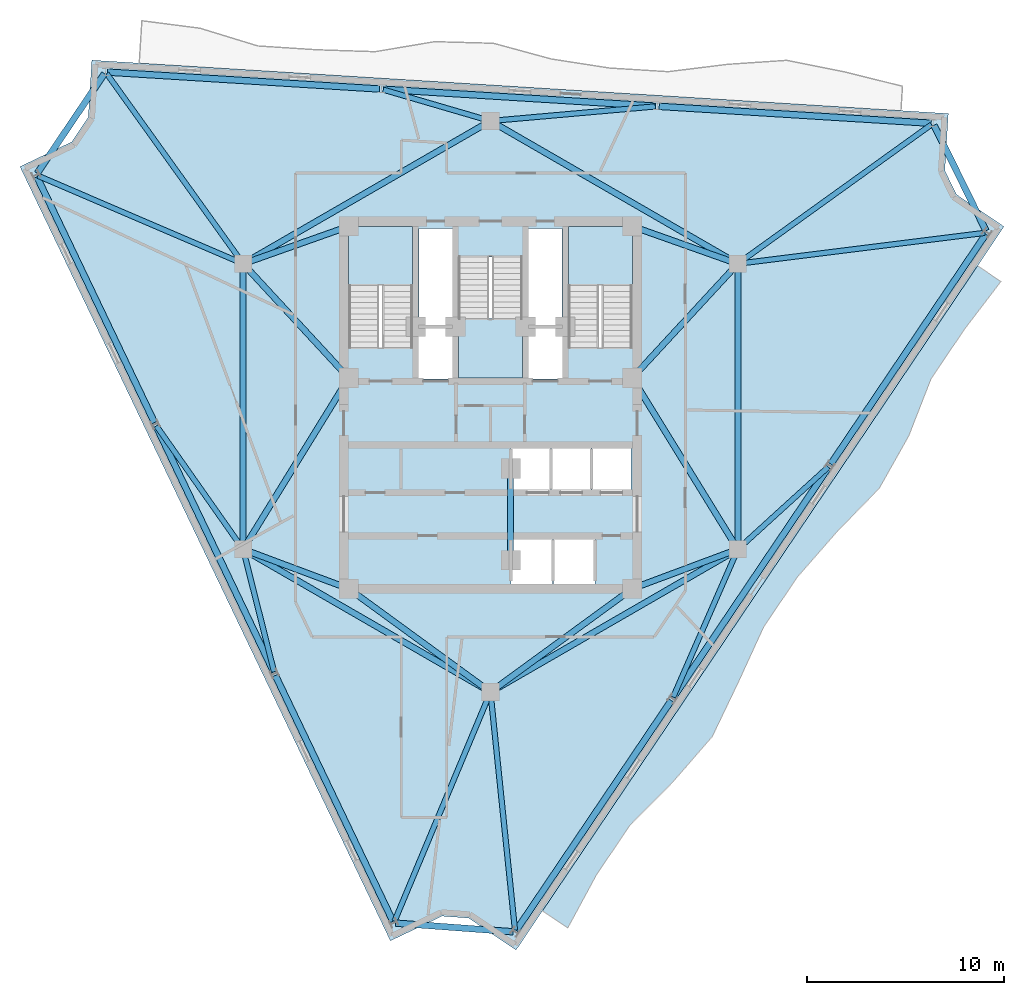
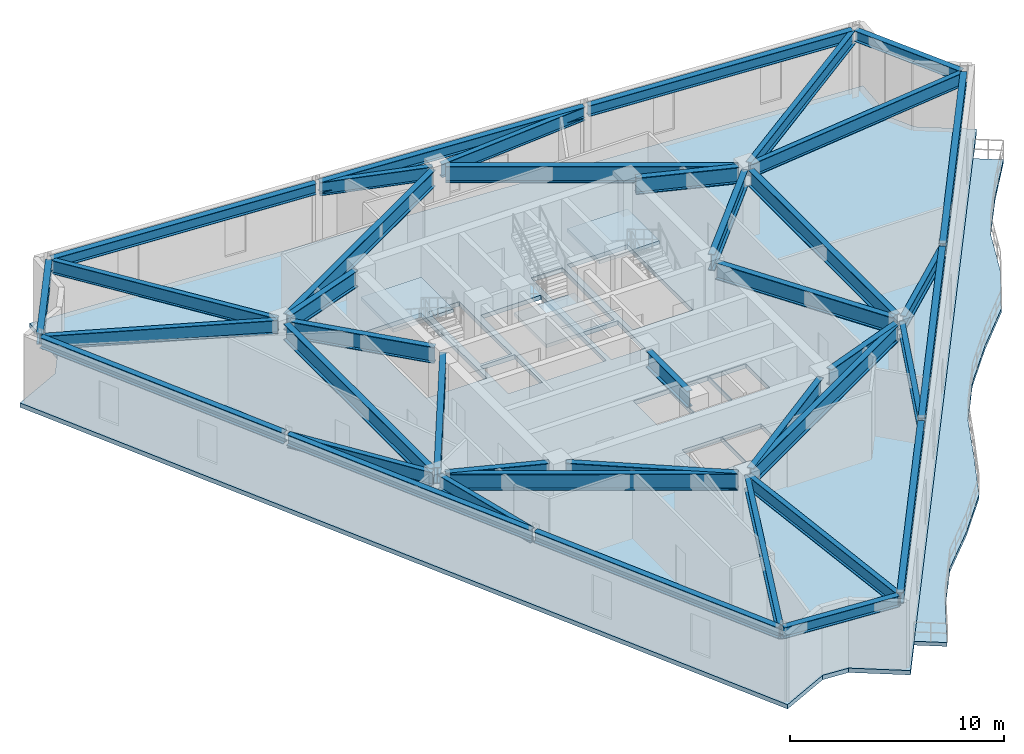
# One storey, part 4 of 10: 41 beams, 5 slabs, 3 elements without a shape of their own.
"""IFC4 building model written with IfcOpenShell, lengths in metres."""

from ifc_helpers import new_model, si_unit, direction, frame, origin, origin_2d, place, context, subcontext, project, spatial, polyline, i_section, outline, extrude, material, layer, layer_set, material_profile, profile_set, type_object, element, aggregate, save


model = new_model("IFC4")

# Units and contexts
model_context = context("Model", 3, precision=1e-05, world=origin(), true_north=direction((0.0, 1.0)))
body_context = subcontext(model_context, "Body", "Model", "MODEL_VIEW")
ifc_project = project(units=[si_unit("LENGTHUNIT", "METRE"), si_unit("AREAUNIT", "SQUARE_METRE"), si_unit("VOLUMEUNIT", "CUBIC_METRE"), si_unit("PLANEANGLEUNIT", "RADIAN"), si_unit("MASSUNIT", "GRAM", prefix="KILO")], contexts=[model_context])

# Site, building, storey
site_placement = place(None, origin())
site = spatial("IfcSite", under=ifc_project, at=site_placement, CompositionType="ELEMENT")
building_placement = place(site_placement, origin())
building = spatial("IfcBuilding", under=site, at=building_placement, Name="Apsidion Concourse Tower", CompositionType="ELEMENT")
storey_placement = place(building_placement, frame((0.0, 0.0, 310.60009765625)))
storey = spatial("IfcBuildingStorey", under=building, at=storey_placement, Name="L73", CompositionType="ELEMENT", Elevation=310.60009765625)

# Beams
ifc_material_1 = material(Name="Structural steel ASTM A992 Grade 50", Category="steel")
ifc_material_profile_1 = material_profile(ifc_material_1, i_section(OverallWidth=0.31005859375, OverallDepth=0.931884765625, WebThickness=0.02099609375, FlangeThickness=0.034423828125, at=origin_2d()), Name="W36X210")
ifc_profile_set_1 = profile_set([ifc_material_profile_1], Name="Structural steel ASTM A992 Grade 50")
beam_type_1 = type_object("IfcBeamType", Name="BM-G-W36", PredefinedType="USERDEFINED", material=ifc_profile_set_1)
beam_1_placement = place(storey_placement, frame((-12.185302734375, -7.389892578125, 3.3837890625), z_axis=(0.936913021145, -0.349562570664, 0.0), x_axis=(0.349562570664, 0.936913021145, 0.0)))
element("IfcBeam", 1, at=beam_1_placement, inside=storey, type_object=beam_type_1, Name="L73 Core Coupling Girder IC1-SC1", ObjectType="GIRDER", PredefinedType="USERDEFINED", context=body_context, shape_type="SweptSolid", body=[
    extrude(i_section(OverallWidth=0.31005859375, OverallDepth=0.931884765625, WebThickness=0.02099609375, FlangeThickness=0.034423828125, at=origin_2d()), origin(), (0.0, 0.0, 1.0), 4.921142578125),
])
beam_2_placement = place(storey_placement, frame((-12.35009765625, -6.909423828125, 3.3837890625), z_axis=(0.524524009763, 0.851395656074, 0.0), x_axis=(-0.851395656074, 0.524524009763, 0.0)))
element("IfcBeam", 2, at=beam_2_placement, inside=storey, type_object=beam_type_1, Name="L73 Core Coupling Girder IC1-SC6", ObjectType="GIRDER", PredefinedType="USERDEFINED", context=body_context, shape_type="SweptSolid", body=[
    extrude(i_section(OverallWidth=0.31005859375, OverallDepth=0.931884765625, WebThickness=0.02099609375, FlangeThickness=0.034423828125, at=origin_2d()), origin(), (0.0, 0.0, 1.0), 9.41845703125),
])
beam_3_placement = place(storey_placement, frame((12.185302734375, -7.389892578125, 3.3837890625), z_axis=(-0.936913021145, -0.349562570664, 0.0), x_axis=(0.349562570664, -0.936913021145, 0.0)))
element("IfcBeam", 3, at=beam_3_placement, inside=storey, type_object=beam_type_1, Name="L73 Core Coupling Girder IC2-SC2", ObjectType="GIRDER", PredefinedType="USERDEFINED", context=body_context, shape_type="SweptSolid", body=[
    extrude(i_section(OverallWidth=0.31005859375, OverallDepth=0.931884765625, WebThickness=0.02099609375, FlangeThickness=0.034423828125, at=origin_2d()), origin(), (0.0, 0.0, 1.0), 4.921142578125),
])
beam_4_placement = place(storey_placement, frame((12.35009765625, -6.909423828125, 3.3837890625), z_axis=(-0.524524009763, 0.851395656074, 0.0), x_axis=(-0.851395656074, -0.524524009763, 0.0)))
element("IfcBeam", 4, at=beam_4_placement, inside=storey, type_object=beam_type_1, Name="L73 Core Coupling Girder IC2-SC3", ObjectType="GIRDER", PredefinedType="USERDEFINED", context=body_context, shape_type="SweptSolid", body=[
    extrude(i_section(OverallWidth=0.31005859375, OverallDepth=0.931884765625, WebThickness=0.02099609375, FlangeThickness=0.034423828125, at=origin_2d()), origin(), (0.0, 0.0, 1.0), 9.41845703125),
])
beam_5_placement = place(storey_placement, frame((12.28857421875, 6.956298828125, 3.3837890625), z_axis=(-0.678712876106, -0.73440372535, 0.0), x_axis=(0.73440372535, -0.678712876106, 0.0)))
element("IfcBeam", 5, at=beam_5_placement, inside=storey, type_object=beam_type_1, Name="L73 Core Coupling Girder IC3-SC3", ObjectType="GIRDER", PredefinedType="USERDEFINED", context=body_context, shape_type="SweptSolid", body=[
    extrude(i_section(OverallWidth=0.31005859375, OverallDepth=0.931884765625, WebThickness=0.02099609375, FlangeThickness=0.034423828125, at=origin_2d()), origin(), (0.0, 0.0, 1.0), 7.097412109375),
])
beam_6_placement = place(storey_placement, frame((12.18310546875, 7.383544921875, 3.3837890625), z_axis=(-0.942533844539, 0.334110688094, 0.0), x_axis=(-0.334110688094, -0.942533844539, 0.0)))
element("IfcBeam", 6, at=beam_6_placement, inside=storey, type_object=beam_type_1, Name="L73 Core Coupling Girder IC3-SC4", ObjectType="GIRDER", PredefinedType="USERDEFINED", context=body_context, shape_type="SweptSolid", body=[
    extrude(i_section(OverallWidth=0.31005859375, OverallDepth=0.931884765625, WebThickness=0.02099609375, FlangeThickness=0.034423828125, at=origin_2d()), origin(), (0.0, 0.0, 1.0), 4.886962890625),
])
beam_7_placement = place(storey_placement, frame((-12.28857421875, 6.956298828125, 3.3837890625), z_axis=(0.678712876106, -0.73440372535, 0.0), x_axis=(0.73440372535, 0.678712876106, 0.0)))
element("IfcBeam", 7, at=beam_7_placement, inside=storey, type_object=beam_type_1, Name="L73 Core Coupling Girder IC5-SC6", ObjectType="GIRDER", PredefinedType="USERDEFINED", context=body_context, shape_type="SweptSolid", body=[
    extrude(i_section(OverallWidth=0.31005859375, OverallDepth=0.931884765625, WebThickness=0.02099609375, FlangeThickness=0.034423828125, at=origin_2d()), origin(), (0.0, 0.0, 1.0), 7.097412109375),
])
beam_8_placement = place(storey_placement, frame((-12.18310546875, 7.383544921875, 3.3837890625), z_axis=(0.942533844539, 0.334110688094, 0.0), x_axis=(-0.334110688094, 0.942533844539, 0.0)))
element("IfcBeam", 8, at=beam_8_placement, inside=storey, type_object=beam_type_1, Name="L73 Core Coupling Girder IC5-SC5", ObjectType="GIRDER", PredefinedType="USERDEFINED", context=body_context, shape_type="SweptSolid", body=[
    extrude(i_section(OverallWidth=0.31005859375, OverallDepth=0.931884765625, WebThickness=0.02099609375, FlangeThickness=0.034423828125, at=origin_2d()), origin(), (0.0, 0.0, 1.0), 4.886962890625),
])
for number, where, z_axis, x_axis, name in (
    (9, (-0.3232421875, -14.264404296875, 3.3837890625), (-0.807993498909, 0.589191399905, 0.0), (-0.589191399905, -0.807993498909, 0.0), "L73 Core Coupling Girder IC6-SC1"),
    (10, (0.3232421875, -14.264404296875, 3.3837890625), (0.807993498909, 0.589191399905, 0.0), (-0.589191399905, 0.807993498909, 0.0), "L73 Core Coupling Girder IC6-SC2"),
):
    element("IfcBeam", number, at=place(storey_placement, frame(where, z_axis=z_axis, x_axis=x_axis)), inside=storey, type_object=beam_type_1, Name=name, ObjectType="GIRDER", PredefinedType="USERDEFINED", context=body_context, shape_type="SweptSolid", body=[
        extrude(i_section(OverallWidth=0.31005859375, OverallDepth=0.931884765625, WebThickness=0.02099609375, FlangeThickness=0.034423828125, at=origin_2d()), origin(), (0.0, 0.0, 1.0), 8.11083984375),
    ])
beam_9_placement = place(storey_placement, frame((-12.56005859375, -6.85009765625, 3.3837890625), z_axis=(0.0, 1.0, 0.0), x_axis=(-1.0, 0.0, 0.0)))
element("IfcBeam", 11, at=beam_9_placement, inside=storey, type_object=beam_type_1, Name="L73 Core Coupling Girder IC1-IC5", ObjectType="GIRDER", PredefinedType="USERDEFINED", context=body_context, shape_type="SweptSolid", body=[
    extrude(i_section(OverallWidth=0.31005859375, OverallDepth=0.931884765625, WebThickness=0.02099609375, FlangeThickness=0.034423828125, at=origin_2d()), origin(), (0.0, 0.0, 1.0), 13.7001953125),
])
for number, where, z_axis, x_axis, name in (
    (12, (-12.213623046875, 7.449951171875, 3.3837890625), (0.866070471464, 0.499921932364, 0.0), (-0.499921932364, 0.866070471464, 0.0), "L73 Core Coupling Girder IC5-IC4"),
    (13, (0.346435546875, 14.300048828125, 3.3837890625), (0.866070471464, -0.499921932364, 0.0), (0.499921932364, 0.866070471464, 0.0), "L73 Core Coupling Girder IC4-IC3"),
):
    element("IfcBeam", number, at=place(storey_placement, frame(where, z_axis=z_axis, x_axis=x_axis)), inside=storey, type_object=beam_type_1, Name=name, ObjectType="GIRDER", PredefinedType="USERDEFINED", context=body_context, shape_type="SweptSolid", body=[
        extrude(i_section(OverallWidth=0.31005859375, OverallDepth=0.931884765625, WebThickness=0.02099609375, FlangeThickness=0.034423828125, at=origin_2d()), origin(), (0.0, 0.0, 1.0), 13.702392578125),
    ])
beam_10_placement = place(storey_placement, frame((12.56005859375, 6.85009765625, 3.3837890625), z_axis=(0.0, -1.0, 0.0), x_axis=(1.0, 0.0, 0.0)))
element("IfcBeam", 14, at=beam_10_placement, inside=storey, type_object=beam_type_1, Name="L73 Core Coupling Girder IC3-IC2", ObjectType="GIRDER", PredefinedType="USERDEFINED", context=body_context, shape_type="SweptSolid", body=[
    extrude(i_section(OverallWidth=0.31005859375, OverallDepth=0.931884765625, WebThickness=0.02099609375, FlangeThickness=0.034423828125, at=origin_2d()), origin(), (0.0, 0.0, 1.0), 13.7001953125),
])
for number, where, z_axis, x_axis, name in (
    (15, (12.213623046875, -7.449951171875, 3.3837890625), (-0.866070471464, -0.499921932364, 0.0), (0.499921932364, -0.866070471464, 0.0), "L73 Core Coupling Girder IC2-IC6"),
    (16, (-0.346435546875, -14.300048828125, 3.3837890625), (-0.866070471464, 0.499921932364, 0.0), (-0.499921932364, -0.866070471464, 0.0), "L73 Core Coupling Girder IC6-IC1"),
):
    element("IfcBeam", number, at=place(storey_placement, frame(where, z_axis=z_axis, x_axis=x_axis)), inside=storey, type_object=beam_type_1, Name=name, ObjectType="GIRDER", PredefinedType="USERDEFINED", context=body_context, shape_type="SweptSolid", body=[
        extrude(i_section(OverallWidth=0.31005859375, OverallDepth=0.931884765625, WebThickness=0.02099609375, FlangeThickness=0.034423828125, at=origin_2d()), origin(), (0.0, 0.0, 1.0), 13.702392578125),
    ])
beam_11_placement = place(storey_placement, frame((1.02490234375, -3.550048828125, 3.3837890625), z_axis=(0.0, -1.0, 0.0), x_axis=(1.0, 0.0, 0.0)))
element("IfcBeam", 17, at=beam_11_placement, inside=storey, type_object=beam_type_1, Name="L73 Core Coupling Girder CC5-CC6", ObjectType="GIRDER", PredefinedType="USERDEFINED", context=body_context, shape_type="SweptSolid", body=[
    extrude(i_section(OverallWidth=0.31005859375, OverallDepth=0.931884765625, WebThickness=0.02099609375, FlangeThickness=0.034423828125, at=origin_2d()), origin(), (0.0, 0.0, 1.0), 3.849853515625),
])
ifc_material_profile_2 = material_profile(ifc_material_1, i_section(OverallWidth=0.324951171875, OverallDepth=0.616943359375, WebThickness=0.013916015625, FlangeThickness=0.021484375, at=origin_2d()), Name="W24X117")
ifc_profile_set_2 = profile_set([ifc_material_profile_2], Name="Structural steel ASTM A992 Grade 50")
beam_type_2 = type_object("IfcBeamType", Name="BM-SP-W24", PredefinedType="SPANDREL", material=ifc_profile_set_2)
beam_12_placement = place(storey_placement, frame((-23.0302734375, 11.66845703125, 3.54150390625), z_axis=(0.431360581796, -0.902179609874, 0.0), x_axis=(0.902179609874, 0.431360581796, 0.0)))
element("IfcBeam", 18, at=beam_12_placement, inside=storey, type_object=beam_type_2, Name="L73 Perimeter Spandrel Girder SP-01", PredefinedType="SPANDREL", context=body_context, shape_type="SweptSolid", body=[
    extrude(i_section(OverallWidth=0.324951171875, OverallDepth=0.616943359375, WebThickness=0.013916015625, FlangeThickness=0.021484375, at=origin_2d()), origin(), (0.0, 0.0, 1.0), 13.834716796875),
])
beam_13_placement = place(storey_placement, frame((-16.976318359375, -0.993408203125, 3.54150390625), z_axis=(0.43136744944, -0.902176326204, 0.0), x_axis=(0.902176326204, 0.43136744944, 0.0)))
element("IfcBeam", 19, at=beam_13_placement, inside=storey, type_object=beam_type_2, Name="L73 Perimeter Spandrel Girder SP-02", PredefinedType="SPANDREL", context=body_context, shape_type="SweptSolid", body=[
    extrude(i_section(OverallWidth=0.324951171875, OverallDepth=0.616943359375, WebThickness=0.013916015625, FlangeThickness=0.021484375, at=origin_2d()), origin(), (0.0, 0.0, 1.0), 13.83447265625),
])
beam_14_placement = place(storey_placement, frame((-10.92236328125, -13.655029296875, 3.54150390625), z_axis=(0.431360581796, -0.902179609874, 0.0), x_axis=(0.902179609874, 0.431360581796, 0.0)))
element("IfcBeam", 20, at=beam_14_placement, inside=storey, type_object=beam_type_2, Name="L73 Perimeter Spandrel Girder SP-03", PredefinedType="SPANDREL", context=body_context, shape_type="SweptSolid", body=[
    extrude(i_section(OverallWidth=0.324951171875, OverallDepth=0.616943359375, WebThickness=0.013916015625, FlangeThickness=0.021484375, at=origin_2d()), origin(), (0.0, 0.0, 1.0), 13.834716796875),
])
beam_15_placement = place(storey_placement, frame((-4.81201171875, -26.234130859375, 3.54150390625), z_axis=(0.997286428853, -0.073619147134, 0.0), x_axis=(0.073619147134, 0.997286428853, 0.0)))
element("IfcBeam", 21, at=beam_15_placement, inside=storey, type_object=beam_type_2, Name="L73 Perimeter Spandrel Girder SP-04", PredefinedType="SPANDREL", context=body_context, shape_type="SweptSolid", body=[
    extrude(i_section(OverallWidth=0.324951171875, OverallDepth=0.616943359375, WebThickness=0.013916015625, FlangeThickness=0.021484375, at=origin_2d()), origin(), (0.0, 0.0, 1.0), 5.982421875),
])
beam_16_placement = place(storey_placement, frame((1.309814453125, -26.59912109375, 3.54150390625), z_axis=(0.559201815781, 0.829031561056, 0.0), x_axis=(-0.829031561056, 0.559201815781, 0.0)))
element("IfcBeam", 22, at=beam_16_placement, inside=storey, type_object=beam_type_2, Name="L73 Perimeter Spandrel Girder SP-05", PredefinedType="SPANDREL", context=body_context, shape_type="SweptSolid", body=[
    extrude(i_section(OverallWidth=0.324951171875, OverallDepth=0.616943359375, WebThickness=0.013916015625, FlangeThickness=0.021484375, at=origin_2d()), origin(), (0.0, 0.0, 1.0), 14.07958984375),
])
beam_17_placement = place(storey_placement, frame((9.294921875, -14.760986328125, 3.54150390625), z_axis=(0.559189897853, 0.829039599862, 0.0), x_axis=(-0.829039599862, 0.559189897853, 0.0)))
element("IfcBeam", 23, at=beam_17_placement, inside=storey, type_object=beam_type_2, Name="L73 Perimeter Spandrel Girder SP-06", PredefinedType="SPANDREL", context=body_context, shape_type="SweptSolid", body=[
    extrude(i_section(OverallWidth=0.324951171875, OverallDepth=0.616943359375, WebThickness=0.013916015625, FlangeThickness=0.021484375, at=origin_2d()), origin(), (0.0, 0.0, 1.0), 14.079345703125),
])
beam_18_placement = place(storey_placement, frame((17.27978515625, -2.9228515625, 3.54150390625), z_axis=(0.559201815781, 0.829031561056, 0.0), x_axis=(-0.829031561056, 0.559201815781, 0.0)))
element("IfcBeam", 24, at=beam_18_placement, inside=storey, type_object=beam_type_2, Name="L73 Perimeter Spandrel Girder SP-07", PredefinedType="SPANDREL", context=body_context, shape_type="SweptSolid", body=[
    extrude(i_section(OverallWidth=0.324951171875, OverallDepth=0.616943359375, WebThickness=0.013916015625, FlangeThickness=0.021484375, at=origin_2d()), origin(), (0.0, 0.0, 1.0), 14.07958984375),
])
beam_19_placement = place(storey_placement, frame((25.164794921875, 8.922119140625, 3.54150390625), z_axis=(-0.441884134894, 0.897072132734, 0.0), x_axis=(-0.897072132734, -0.441884134894, 0.0)))
element("IfcBeam", 25, at=beam_19_placement, inside=storey, type_object=beam_type_2, Name="L73 Perimeter Spandrel Girder SP-08", PredefinedType="SPANDREL", context=body_context, shape_type="SweptSolid", body=[
    extrude(i_section(OverallWidth=0.324951171875, OverallDepth=0.616943359375, WebThickness=0.013916015625, FlangeThickness=0.021484375, at=origin_2d()), origin(), (0.0, 0.0, 1.0), 5.982421875),
])
beam_20_placement = place(storey_placement, frame((22.377197265625, 14.384765625, 3.54150390625), z_axis=(-0.998077561187, 0.06197726886, 0.0), x_axis=(-0.06197726886, -0.998077561187, 0.0)))
element("IfcBeam", 26, at=beam_20_placement, inside=storey, type_object=beam_type_2, Name="L73 Perimeter Spandrel Girder SP-09", PredefinedType="SPANDREL", context=body_context, shape_type="SweptSolid", body=[
    extrude(i_section(OverallWidth=0.324951171875, OverallDepth=0.616943359375, WebThickness=0.013916015625, FlangeThickness=0.021484375, at=origin_2d()), origin(), (0.0, 0.0, 1.0), 13.83447265625),
])
for number, where, z_axis, x_axis, name in (
    (27, (8.36962890625, 15.254638671875, 3.54150390625), (-0.998076537228, 0.061993756414, 0.0), (-0.061993756414, -0.998076537228, 0.0), "L73 Perimeter Spandrel Girder SP-10"),
    (28, (-5.637939453125, 16.12451171875, 3.54150390625), (-0.998076537228, 0.061993756414, 0.0), (-0.061993756414, -0.998076537228, 0.0), "L73 Perimeter Spandrel Girder SP-11"),
):
    element("IfcBeam", number, at=place(storey_placement, frame(where, z_axis=z_axis, x_axis=x_axis)), inside=storey, type_object=beam_type_2, Name=name, PredefinedType="SPANDREL", context=body_context, shape_type="SweptSolid", body=[
        extrude(i_section(OverallWidth=0.324951171875, OverallDepth=0.616943359375, WebThickness=0.013916015625, FlangeThickness=0.021484375, at=origin_2d()), origin(), (0.0, 0.0, 1.0), 13.834716796875),
    ])
beam_21_placement = place(storey_placement, frame((-19.601806640625, 16.905517578125, 3.54150390625), z_axis=(-0.559174891641, -0.829049721403, 0.0), x_axis=(0.829049721403, -0.559174891641, 0.0)))
element("IfcBeam", 29, at=beam_21_placement, inside=storey, type_object=beam_type_2, Name="L73 Perimeter Spandrel Girder SP-12", PredefinedType="SPANDREL", context=body_context, shape_type="SweptSolid", body=[
    extrude(i_section(OverallWidth=0.324951171875, OverallDepth=0.616943359375, WebThickness=0.013916015625, FlangeThickness=0.021484375, at=origin_2d()), origin(), (0.0, 0.0, 1.0), 6.108154296875),
])
ifc_material_profile_3 = material_profile(ifc_material_1, i_section(OverallWidth=0.26806640625, OverallDepth=0.77001953125, WebThickness=0.015625, FlangeThickness=0.025390625, at=origin_2d()), Name="W30X132")
ifc_profile_set_3 = profile_set([ifc_material_profile_3], Name="Structural steel ASTM A992 Grade 50")
beam_type_3 = type_object("IfcBeamType", Name="BM-SP-W30", PredefinedType="SPANDREL", material=ifc_profile_set_3)
beam_22_placement = place(storey_placement, frame((-12.76220703125, 7.336669921875, 3.46484375), z_axis=(-0.919050742632, 0.3941392298, 0.0), x_axis=(-0.3941392298, -0.919050742632, 0.0)))
element("IfcBeam", 30, at=beam_22_placement, inside=storey, type_object=beam_type_3, Name="L73 Radial Floor Girder RAD-01", PredefinedType="SPANDREL", context=body_context, shape_type="SweptSolid", body=[
    extrude(i_section(OverallWidth=0.26806640625, OverallDepth=0.77001953125, WebThickness=0.015625, FlangeThickness=0.025390625, at=origin_2d()), origin(), (0.0, 0.0, 1.0), 11.119384765625),
])
beam_23_placement = place(storey_placement, frame((-12.6865234375, -7.070068359375, 3.46484375), z_axis=(-0.574897998258, 0.818225086146, 0.0), x_axis=(-0.818225086146, -0.574897998258, 0.0)))
element("IfcBeam", 31, at=beam_23_placement, inside=storey, type_object=beam_type_3, Name="L73 Radial Floor Girder RAD-02", PredefinedType="SPANDREL", context=body_context, shape_type="SweptSolid", body=[
    extrude(i_section(OverallWidth=0.26806640625, OverallDepth=0.77001953125, WebThickness=0.015625, FlangeThickness=0.025390625, at=origin_2d()), origin(), (0.0, 0.0, 1.0), 7.436767578125),
])
beam_24_placement = place(storey_placement, frame((-12.506103515625, -7.46337890625, 3.46484375), z_axis=(0.244807492941, -0.969571705136, 0.0), x_axis=(0.969571705136, 0.244807492941, 0.0)))
element("IfcBeam", 32, at=beam_24_placement, inside=storey, type_object=beam_type_3, Name="L73 Radial Floor Girder RAD-03", PredefinedType="SPANDREL", context=body_context, shape_type="SweptSolid", body=[
    extrude(i_section(OverallWidth=0.26806640625, OverallDepth=0.77001953125, WebThickness=0.015625, FlangeThickness=0.025390625, at=origin_2d()), origin(), (0.0, 0.0, 1.0), 6.193115234375),
])
beam_25_placement = place(storey_placement, frame((-0.0849609375, -14.702880859375, 3.46484375), z_axis=(-0.386326743156, -0.922361993755, 0.0), x_axis=(0.922361993755, -0.386326743156, 0.0)))
element("IfcBeam", 33, at=beam_25_placement, inside=storey, type_object=beam_type_3, Name="L73 Radial Floor Girder RAD-04", PredefinedType="SPANDREL", context=body_context, shape_type="SweptSolid", body=[
    extrude(i_section(OverallWidth=0.26806640625, OverallDepth=0.77001953125, WebThickness=0.015625, FlangeThickness=0.025390625, at=origin_2d()), origin(), (0.0, 0.0, 1.0), 12.393798828125),
])
beam_26_placement = place(storey_placement, frame((0.0224609375, -14.71875, 3.46484375), z_axis=(0.10241374793, -0.994741888248, 0.0), x_axis=(0.994741888248, 0.10241374793, 0.0)))
element("IfcBeam", 34, at=beam_26_placement, inside=storey, type_object=beam_type_3, Name="L73 Radial Floor Girder RAD-05", PredefinedType="SPANDREL", context=body_context, shape_type="SweptSolid", body=[
    extrude(i_section(OverallWidth=0.26806640625, OverallDepth=0.77001953125, WebThickness=0.015625, FlangeThickness=0.025390625, at=origin_2d()), origin(), (0.0, 0.0, 1.0), 11.926513671875),
])
beam_27_placement = place(storey_placement, frame((12.4716796875, -7.45166015625, 3.46484375), z_axis=(-0.400675776745, -0.916219909154, 0.0), x_axis=(0.916219909154, -0.400675776745, 0.0)))
element("IfcBeam", 35, at=beam_27_placement, inside=storey, type_object=beam_type_3, Name="L73 Radial Floor Girder RAD-06", PredefinedType="SPANDREL", context=body_context, shape_type="SweptSolid", body=[
    extrude(i_section(OverallWidth=0.26806640625, OverallDepth=0.77001953125, WebThickness=0.015625, FlangeThickness=0.025390625, at=origin_2d()), origin(), (0.0, 0.0, 1.0), 7.968017578125),
])
beam_28_placement = place(storey_placement, frame((12.72265625, -7.101806640625, 3.46484375), z_axis=(0.739604100637, 0.673042178709, 0.0), x_axis=(-0.673042178709, 0.739604100637, 0.0)))
element("IfcBeam", 36, at=beam_28_placement, inside=storey, type_object=beam_type_3, Name="L73 Radial Floor Girder RAD-07", PredefinedType="SPANDREL", context=body_context, shape_type="SweptSolid", body=[
    extrude(i_section(OverallWidth=0.26806640625, OverallDepth=0.77001953125, WebThickness=0.015625, FlangeThickness=0.025390625, at=origin_2d()), origin(), (0.0, 0.0, 1.0), 5.986083984375),
])
beam_29_placement = place(storey_placement, frame((12.7783203125, 7.27734375, 3.46484375), z_axis=(0.99226487514, 0.124138702924, 0.0), x_axis=(-0.124138702924, 0.99226487514, 0.0)))
element("IfcBeam", 37, at=beam_29_placement, inside=storey, type_object=beam_type_3, Name="L73 Radial Floor Girder RAD-08", PredefinedType="SPANDREL", context=body_context, shape_type="SweptSolid", body=[
    extrude(i_section(OverallWidth=0.26806640625, OverallDepth=0.77001953125, WebThickness=0.015625, FlangeThickness=0.025390625, at=origin_2d()), origin(), (0.0, 0.0, 1.0), 12.427490234375),
])
beam_30_placement = place(storey_placement, frame((12.738525390625, 7.37841796875, 3.46484375), z_axis=(0.811991962087, 0.583668616174, 0.0), x_axis=(-0.583668616174, 0.811991962087, 0.0)))
element("IfcBeam", 38, at=beam_30_placement, inside=storey, type_object=beam_type_3, Name="L73 Radial Floor Girder RAD-09", PredefinedType="SPANDREL", context=body_context, shape_type="SweptSolid", body=[
    extrude(i_section(OverallWidth=0.26806640625, OverallDepth=0.77001953125, WebThickness=0.015625, FlangeThickness=0.025390625, at=origin_2d()), origin(), (0.0, 0.0, 1.0), 11.8935546875),
])
beam_31_placement = place(storey_placement, frame((0.218994140625, 14.519287109375, 3.46484375), z_axis=(0.99611631584, 0.088047063082, 0.0), x_axis=(-0.088047063082, 0.99611631584, 0.0)))
element("IfcBeam", 39, at=beam_31_placement, inside=storey, type_object=beam_type_3, Name="L73 Radial Floor Girder RAD-10", PredefinedType="SPANDREL", context=body_context, shape_type="SweptSolid", body=[
    extrude(i_section(OverallWidth=0.26806640625, OverallDepth=0.77001953125, WebThickness=0.015625, FlangeThickness=0.025390625, at=origin_2d()), origin(), (0.0, 0.0, 1.0), 8.1826171875),
])
beam_32_placement = place(storey_placement, frame((-0.211181640625, 14.561767578125, 3.46484375), z_axis=(-0.959858385002, 0.28048508114, 0.0), x_axis=(-0.28048508114, -0.959858385002, 0.0)))
element("IfcBeam", 40, at=beam_32_placement, inside=storey, type_object=beam_type_3, Name="L73 Radial Floor Girder RAD-11", PredefinedType="SPANDREL", context=body_context, shape_type="SweptSolid", body=[
    extrude(i_section(OverallWidth=0.26806640625, OverallDepth=0.77001953125, WebThickness=0.015625, FlangeThickness=0.025390625, at=origin_2d()), origin(), (0.0, 0.0, 1.0), 5.44970703125),
])
beam_33_placement = place(storey_placement, frame((-12.688232421875, 7.4287109375, 3.46484375), z_axis=(-0.582890152065, 0.812550964941, 0.0), x_axis=(-0.812550964941, -0.582890152065, 0.0)))
element("IfcBeam", 41, at=beam_33_placement, inside=storey, type_object=beam_type_3, Name="L73 Radial Floor Girder RAD-12", PredefinedType="SPANDREL", context=body_context, shape_type="SweptSolid", body=[
    extrude(i_section(OverallWidth=0.26806640625, OverallDepth=0.77001953125, WebThickness=0.015625, FlangeThickness=0.025390625, at=origin_2d()), origin(), (0.0, 0.0, 1.0), 11.664794921875),
])

# Slabs
ifc_material_2 = material(Name="Concrete C50/60", Category="concrete")
ifc_layer_1 = layer(ifc_material_2, 0.219970703125)
ifc_layer_set_1 = layer_set([ifc_layer_1], Name="Concrete C50/60")
slab_type_1 = type_object("IfcSlabType", Name="SL-BAL-220", PredefinedType="FLOOR", material=ifc_layer_set_1)
slab_1_placement = place(storey_placement, frame((0.0, 0.0, -0.22021484375)))
element("IfcSlab", 42, at=slab_1_placement, inside=storey, type_object=slab_type_1, Name="L73 Face 2 Rippling Balcony Slab", PredefinedType="FLOOR", context=body_context, shape_type="SweptSolid", body=[
    extrude(outline(polyline([(2.639404296875, -25.61181640625), (4.339111328125, -23.091796875), (6.038818359375, -20.572021484375), (7.73828125, -18.052001953125), (9.43798828125, -15.531982421875), (11.1376953125, -13.01220703125), (12.83740234375, -10.4921875), (14.537353515625, -7.972412109375), (16.237060546875, -5.452392578125), (17.936767578125, -2.9326171875), (19.636474609375, -0.41259765625), (21.336181640625, 2.107421875), (23.035888671875, 4.627197265625), (24.735595703125, 7.147216796875), (25.91845703125, 6.349365234375), (24.072021484375, 3.92822265625), (22.372314453125, 1.408447265625), (21.239013671875, -1.493408203125), (19.743408203125, -4.151123046875), (17.5888671875, -6.3642578125), (15.573486328125, -8.67138671875), (13.873779296875, -11.19140625), (12.58984375, -13.991455078125), (11.260986328125, -16.76171875), (9.252685546875, -19.073486328125), (7.074951171875, -21.27099609375), (5.375244140625, -23.791015625), (3.92431640625, -26.478515625), (2.639404296875, -25.61181640625)])), origin(), (0.0, 0.0, 1.0), 0.22021484375),
])
ifc_layer_2 = layer(ifc_material_2, 0.25)
ifc_layer_set_2 = layer_set([ifc_layer_2], Name="Concrete C50/60")
slab_type_2 = type_object("IfcSlabType", Name="SL-FLR-250", PredefinedType="FLOOR", material=ifc_layer_set_2)
slab_2_placement = place(storey_placement, frame((0.0, 0.0, -0.25)))
element("IfcSlab", 43, at=slab_2_placement, inside=storey, type_object=slab_type_2, Name="L73 Structural Floor Slab", PredefinedType="FLOOR", context=body_context, shape_type="SweptSolid", body=[
    extrude(outline(polyline([(-20.24365234375, 17.58837890625), (-20.424560546875, 14.688232421875), (-21.27001953125, 13.43505859375), (-23.89111328125, 12.180908203125), (-5.082275390625, -27.131103515625), (-2.461181640625, -25.877197265625), (-1.11181640625, -25.9765625), (1.297119140625, -27.6015625), (26.07763671875, 9.136962890625), (23.668701171875, 10.76171875), (23.07080078125, 11.9755859375), (23.251708984375, 14.875732421875), (-20.24365234375, 17.58837890625)]), holes=[polyline([(-3.949951171875, 3.0), (-3.949951171875, 9.14990234375), (-7.199951171875, 9.14990234375), (-7.199951171875, 3.0), (-3.949951171875, 3.0)]), polyline([(7.199951171875, 3.0), (7.199951171875, 9.14990234375), (3.949951171875, 9.14990234375), (3.949951171875, 3.0), (7.199951171875, 3.0)]), polyline([(-1.625, 7.60009765625), (-1.625, 1.449951171875), (1.625, 1.449951171875), (1.625, 7.60009765625), (-1.625, 7.60009765625)]), polyline([(1.054931640625, -4.300048828125), (3.044921875, -4.300048828125), (3.044921875, -2.050048828125), (1.054931640625, -2.050048828125), (1.054931640625, -4.300048828125)]), polyline([(3.10498046875, -4.300048828125), (5.094970703125, -4.300048828125), (5.094970703125, -2.050048828125), (3.10498046875, -2.050048828125), (3.10498046875, -4.300048828125)]), polyline([(5.155029296875, -4.300048828125), (7.14501953125, -4.300048828125), (7.14501953125, -2.050048828125), (5.155029296875, -2.050048828125), (5.155029296875, -4.300048828125)]), polyline([(1.044921875, -9.0), (3.155029296875, -9.0), (3.155029296875, -6.64990234375), (1.044921875, -6.64990234375), (1.044921875, -9.0)]), polyline([(3.195068359375, -9.0), (5.304931640625, -9.0), (5.304931640625, -6.64990234375), (3.195068359375, -6.64990234375), (3.195068359375, -9.0)]), polyline([(-3.7099609375, 1.39990234375), (-1.85009765625, 1.39990234375), (-1.85009765625, 4.0), (-3.7099609375, 4.0), (-3.7099609375, 1.39990234375)]), polyline([(1.85009765625, 1.39990234375), (3.7099609375, 1.39990234375), (3.7099609375, 4.0), (1.85009765625, 4.0), (1.85009765625, 1.39990234375)]), polyline([(-3.6201171875, 4.14990234375), (-1.93994140625, 4.14990234375), (-1.93994140625, 9.050048828125), (-3.6201171875, 9.050048828125), (-3.6201171875, 4.14990234375)]), polyline([(1.93994140625, 4.14990234375), (3.6201171875, 4.14990234375), (3.6201171875, 9.050048828125), (1.93994140625, 9.050048828125), (1.93994140625, 4.14990234375)])]), origin(), (0.0, 0.0, 1.0), 0.25),
])

# Stair, slab
ifc_material_3 = material(Name="Precast concrete C40/50", Category="concrete")
stair_type = type_object("IfcStairType", Name="ST-DL-1550", PredefinedType="HALF_TURN_STAIR", material=ifc_material_3)
stair_1_placement = place(storey_placement, origin())
stair_1 = element("IfcStair", 44, at=stair_1_placement, inside=storey, type_object=stair_type, Name="L73 Protected Core Exit Stair ST1", PredefinedType="HALF_TURN_STAIR")
ifc_layer_3 = layer(ifc_material_2, 0.199951171875)
ifc_layer_set_3 = layer_set([ifc_layer_3], Name="Concrete C50/60")
slab_type_3 = type_object("IfcSlabType", Name="SL-ST-LAND-200", PredefinedType="LANDING", material=ifc_layer_set_3)
slab_3_placement = place(storey_placement, frame((0.0, 0.0, 1.849853515625)))
slab_3 = element("IfcSlab", 45, at=slab_3_placement, type_object=slab_type_3, Name="ST1 landing 1", PredefinedType="LANDING", context=body_context, shape_type="SweptSolid", body=[
    extrude(outline(polyline([(-3.949951171875, 6.135009765625), (-3.949951171875, 9.14990234375), (-7.199951171875, 9.14990234375), (-7.199951171875, 6.135009765625), (-3.949951171875, 6.135009765625)])), origin(), (0.0, 0.0, 1.0), 0.199951171875),
])
aggregate(stair_1, [slab_3])

stair_2_placement = place(storey_placement, origin())
stair_2 = element("IfcStair", 46, at=stair_2_placement, inside=storey, type_object=stair_type, Name="L73 Protected Core Exit Stair ST2", PredefinedType="HALF_TURN_STAIR")
slab_4_placement = place(storey_placement, frame((0.0, 0.0, 1.849853515625)))
slab_4 = element("IfcSlab", 47, at=slab_4_placement, type_object=slab_type_3, Name="ST2 landing 1", PredefinedType="LANDING", context=body_context, shape_type="SweptSolid", body=[
    extrude(outline(polyline([(7.199951171875, 6.135009765625), (7.199951171875, 9.14990234375), (3.949951171875, 9.14990234375), (3.949951171875, 6.135009765625), (7.199951171875, 6.135009765625)])), origin(), (0.0, 0.0, 1.0), 0.199951171875),
])
aggregate(stair_2, [slab_4])

stair_3_placement = place(storey_placement, origin())
stair_3 = element("IfcStair", 48, at=stair_3_placement, inside=storey, type_object=stair_type, Name="L73 Protected Core Exit Stair ST3", PredefinedType="HALF_TURN_STAIR")
slab_5_placement = place(storey_placement, frame((0.0, 0.0, 1.849853515625)))
slab_5 = element("IfcSlab", 49, at=slab_5_placement, type_object=slab_type_3, Name="ST3 landing 1", PredefinedType="LANDING", context=body_context, shape_type="SweptSolid", body=[
    extrude(outline(polyline([(-1.625, 4.465087890625), (-1.625, 1.449951171875), (1.625, 1.449951171875), (1.625, 4.465087890625), (-1.625, 4.465087890625)])), origin(), (0.0, 0.0, 1.0), 0.199951171875),
])
aggregate(stair_3, [slab_5])

save(model, "model.ifc")
